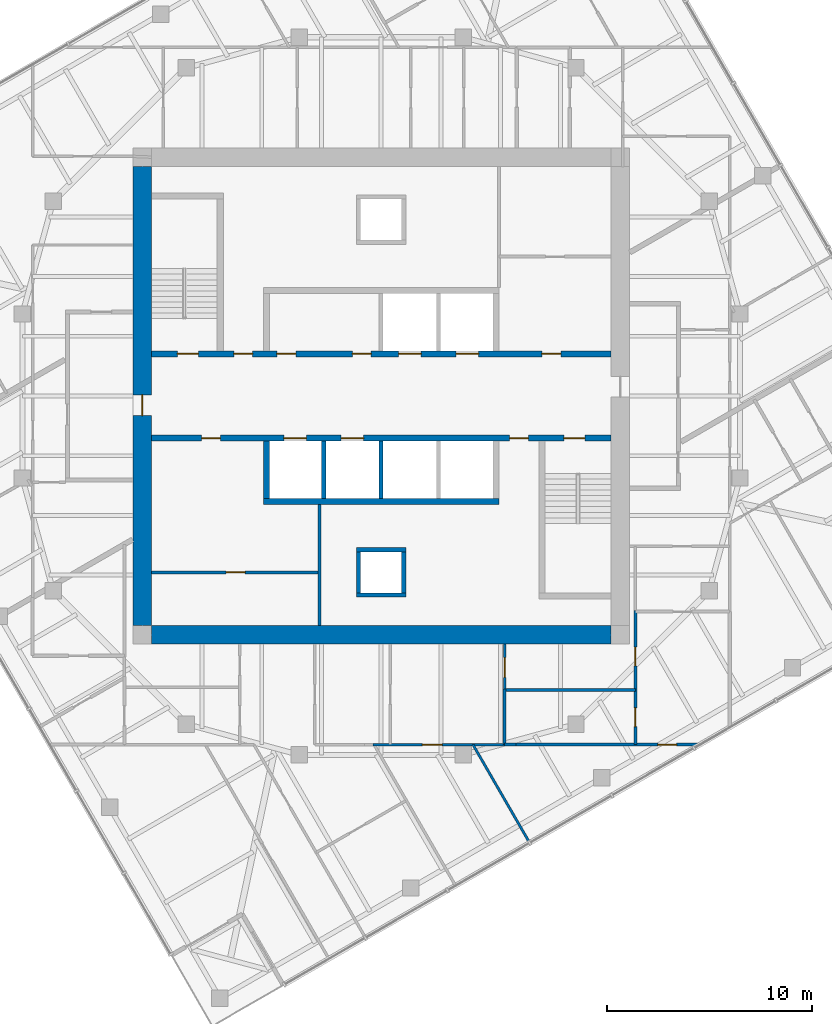
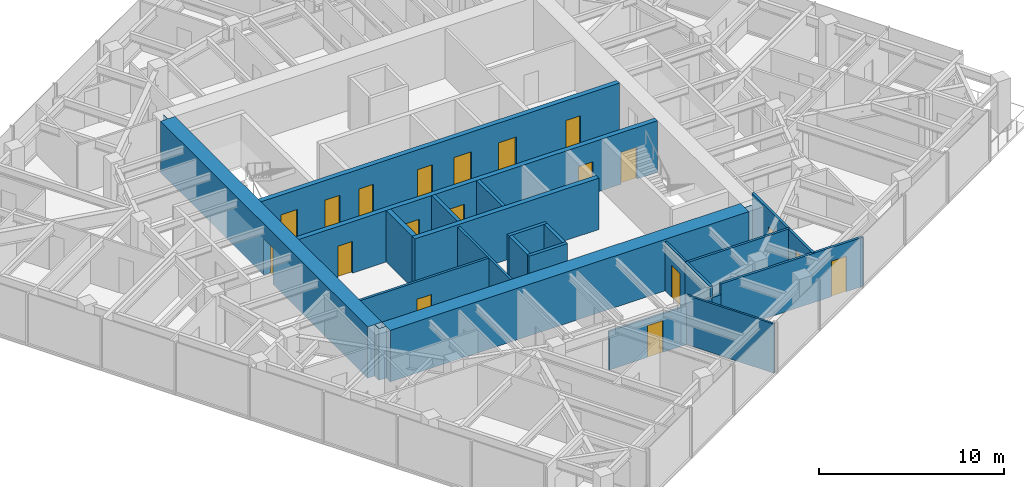
# One storey, part 8 of 12: 22 walls, 19 doors, 19 openings.
"""IFC4 building model written with IfcOpenShell, lengths in metres."""

import ifcopenshell
import ifcopenshell.guid

model = None  # the IFC model being written
_history = None  # IfcOwnerHistory: only IFC2X3 demands one
_inside = {}  # id of a spatial element -> (the spatial element, [elements in it])
_under = {}  # id of a project, library or spatial element -> (it, [spatial elements below it])
_declared = {}  # id of a project -> (the project, [libraries it declares])
_typed = {}  # id of a type object -> (the type object, [elements of that type])
_made_of = {}  # id of a material, layer set ... -> (it, [elements and type objects made of it])


def new_model(schema):
    """Start an empty IFC model of exactly this schema.

    Asked for "IFC4X3", IfcOpenShell would pick the latest addendum, in which some entities
    have other attributes; the version numbers below select the first issue.
    IFC2X3 requires an IfcOwnerHistory on every rooted entity: one is made here for all.
    """
    global model, _history
    if schema == "IFC4X3":
        model = ifcopenshell.file(schema_version=(4, 3, 0, 0))
    else:
        model = ifcopenshell.file(schema=schema)
    _inside.clear()
    _under.clear()
    _declared.clear()
    _typed.clear()
    _made_of.clear()
    _history = None
    if model.schema == "IFC2X3":
        org = make("IfcOrganization", Name="unknown")
        user = make(
            "IfcPersonAndOrganization",
            ThePerson=make("IfcPerson", FamilyName="unknown"),
            TheOrganization=org,
        )
        app = make(
            "IfcApplication",
            ApplicationDeveloper=org,
            Version="unknown",
            ApplicationFullName="unknown",
            ApplicationIdentifier="unknown",
        )
        _history = make(
            "IfcOwnerHistory",
            OwningUser=user,
            OwningApplication=app,
            ChangeAction="ADDED",
            CreationDate=0,
        )
    return model


def make(cls, **values):
    """One entity of the class cls with the attributes given. An attribute that is None is left unset."""
    return model.create_entity(
        cls, **{name: value for name, value in values.items() if value is not None}
    )


def rooted(cls, **values):
    """An entity with a GlobalId (a new one), such as an element, a storey or a relation."""
    return make(cls, GlobalId=ifcopenshell.guid.new(), OwnerHistory=_history, **values)


def si_unit(unit_type, name, prefix=None):
    """IfcSIUnit, for example si_unit("LENGTHUNIT", "METRE", prefix="MILLI")."""
    return make("IfcSIUnit", UnitType=unit_type, Prefix=prefix, Name=name)


def assignment(units):
    """IfcUnitAssignment: the units of a project."""
    return None if units is None else make("IfcUnitAssignment", Units=units)


def point(xyz):
    """IfcCartesianPoint."""
    return None if xyz is None else make("IfcCartesianPoint", Coordinates=xyz)


def direction(xyz):
    """IfcDirection."""
    return None if xyz is None else make("IfcDirection", DirectionRatios=xyz)


def frame(location, z_axis=None, x_axis=None):
    """IfcAxis2Placement3D, a coordinate frame: its origin and axes. An axis left out is left unset."""
    return make(
        "IfcAxis2Placement3D",
        Location=point(location),
        Axis=direction(z_axis),
        RefDirection=direction(x_axis),
    )


def frame_2d(location, x_axis=None):
    """IfcAxis2Placement2D, a coordinate frame in the plane: its origin and x axis."""
    return make(
        "IfcAxis2Placement2D", Location=point(location), RefDirection=direction(x_axis)
    )


def origin():
    """The frame at (0, 0, 0) with its axes left unset."""
    return frame((0.0, 0.0, 0.0))


def place(relative_to, where):
    """IfcLocalPlacement: puts the frame where relative to a parent placement (None: the world)."""
    return make(
        "IfcLocalPlacement", PlacementRelTo=relative_to, RelativePlacement=where
    )


def context(
    kind, dimensions, precision=None, world=None, true_north=None, identifier=None
):
    """IfcGeometricRepresentationContext, for example the 3D "Model" context."""
    return make(
        "IfcGeometricRepresentationContext",
        ContextIdentifier=identifier,
        ContextType=kind,
        CoordinateSpaceDimension=dimensions,
        Precision=precision,
        WorldCoordinateSystem=world,
        TrueNorth=true_north,
    )


def subcontext(parent, identifier, kind, view, scale=None):
    """IfcGeometricRepresentationSubContext, for example "Body" below "Model"."""
    return make(
        "IfcGeometricRepresentationSubContext",
        ContextIdentifier=identifier,
        ContextType=kind,
        ParentContext=parent,
        TargetScale=scale,
        TargetView=view,
    )


def project(units=None, contexts=None):
    """IfcProject with its units and contexts."""
    return rooted(
        "IfcProject",
        Name="project",
        RepresentationContexts=contexts,
        UnitsInContext=assignment(units),
    )


def spatial(cls, under=None, at=None, **own):
    """A site, building, storey or space (cls), placed at a placement, below another one or the project."""
    s = rooted(cls, ObjectPlacement=at, **own)
    if under is not None:
        _under.setdefault(under.id(), (under, []))[1].append(s)
    return s


def polyline(points):
    """IfcPolyline through the points."""
    return make("IfcPolyline", Points=[point(p) for p in points])


def profile(cls, at=None, kind="AREA", **sizes):
    """A parametric profile (cls). Its sizes go by their IFC names, for example OverallWidth=200.0."""
    return make(cls, ProfileType=kind, Position=at, **sizes)


def rectangle(**sizes):
    """IfcRectangleProfileDef."""
    return profile("IfcRectangleProfileDef", **sizes)


def outline(outer, holes=None, kind="AREA"):
    """IfcArbitraryClosedProfileDef: a profile drawn as a closed curve; with holes, ...WithVoids."""
    if holes is None:
        return make("IfcArbitraryClosedProfileDef", ProfileType=kind, OuterCurve=outer)
    return make(
        "IfcArbitraryProfileDefWithVoids",
        ProfileType=kind,
        OuterCurve=outer,
        InnerCurves=holes,
    )


def extrude(swept, where, along, depth):
    """IfcExtrudedAreaSolid: the profile swept, set in the frame where, extruded along a direction by depth."""
    return make(
        "IfcExtrudedAreaSolid",
        SweptArea=swept,
        Position=where,
        ExtrudedDirection=direction(along),
        Depth=depth,
    )


def shape(context_of_items, identifier, shape_type, items):
    """IfcShapeRepresentation: the items that make up one representation, for example the "Body"."""
    return make(
        "IfcShapeRepresentation",
        ContextOfItems=context_of_items,
        RepresentationIdentifier=identifier,
        RepresentationType=shape_type,
        Items=items,
    )


def material(Name=None, Category=None):
    """IfcMaterial."""
    return make("IfcMaterial", Name=Name, Category=Category)


def layer(
    of_material, thickness, ventilated=None, Name=None, Category=None, Priority=None
):
    """IfcMaterialLayer: one layer of a wall or slab, of a material (None: an air gap)."""
    return make(
        "IfcMaterialLayer",
        Material=of_material,
        LayerThickness=thickness,
        IsVentilated=ventilated,
        Name=Name,
        Category=Category,
        Priority=Priority,
    )


def layer_set(layers, Name=None):
    """IfcMaterialLayerSet."""
    return make("IfcMaterialLayerSet", MaterialLayers=layers, LayerSetName=Name)


def made_of(thing, what):
    """Note that an element or type object is made of a material, layer set ...; save() writes the relation."""
    if what is not None:
        _made_of.setdefault(what.id(), (what, []))[1].append(thing)
    return thing


def type_object(cls, material=None, **own):
    """A type object (cls), such as IfcWallType, which elements share."""
    return made_of(rooted(cls, **own), material)


def element(
    cls,
    number,
    at=None,
    inside=None,
    cuts=None,
    type_object=None,
    material=None,
    context=None,
    identifier="Body",
    shape_type=None,
    held_by="IfcProductDefinitionShape",
    body=None,
    shapes=None,
    **own,
):
    """One element of the class cls, such as IfcWall. Its Tag is "e" and its number.

    at: its placement. inside: the storey or other place that contains it. cuts: it is an
    opening in that element (IfcRelVoidsElement). A single representation is given by context,
    identifier, shape_type and body (its items); several are given by shapes. held_by: the class
    of the entity that holds the representations. save() writes the other relations.
    """
    e = rooted(cls, Tag="e%d" % number, ObjectPlacement=at, **own)
    if body is not None:
        shapes = [shape(context, identifier, shape_type, body)]
    if shapes is not None:
        e.Representation = make(held_by, Representations=shapes)
    if inside is not None:
        _inside.setdefault(inside.id(), (inside, []))[1].append(e)
    if cuts is not None:
        rooted(
            "IfcRelVoidsElement", RelatingBuildingElement=cuts, RelatedOpeningElement=e
        )
    if type_object is not None:
        _typed.setdefault(type_object.id(), (type_object, []))[1].append(e)
    return made_of(e, material)


def fill(opening, filler):
    """IfcRelFillsElement: the door or window that sits in an opening."""
    return rooted(
        "IfcRelFillsElement",
        RelatingOpeningElement=opening,
        RelatedBuildingElement=filler,
    )


def aggregate(whole, parts):
    """IfcRelAggregates: a whole, such as a stair, and the parts it consists of."""
    return rooted("IfcRelAggregates", RelatingObject=whole, RelatedObjects=parts)


def save(model, path):
    """Write the relations noted so far, then the file.

    IfcRelAggregates (storeys below a building ...), IfcRelContainedInSpatialStructure (elements
    in a storey), IfcRelDefinesByType, IfcRelAssociatesMaterial and IfcRelDeclares: one each for
    every whole, place, type object, material and project.
    """
    for whole, parts in _under.values():
        aggregate(whole, parts)
    for where, things in _inside.values():
        rooted(
            "IfcRelContainedInSpatialStructure",
            RelatedElements=things,
            RelatingStructure=where,
        )
    for kind, things in _typed.values():
        rooted("IfcRelDefinesByType", RelatedObjects=things, RelatingType=kind)
    for what, things in _made_of.values():
        rooted("IfcRelAssociatesMaterial", RelatedObjects=things, RelatingMaterial=what)
    for by, libraries in _declared.values():
        rooted("IfcRelDeclares", RelatingContext=by, RelatedDefinitions=libraries)
    model.write(path)


model = new_model("IFC4")

# Units and contexts
model_context = context("Model", 3, precision=1e-05, world=origin(), true_north=direction((0.0, 1.0)))
body_context = subcontext(model_context, "Body", "Model", "MODEL_VIEW")
ifc_project = project(units=[si_unit("LENGTHUNIT", "METRE"), si_unit("AREAUNIT", "SQUARE_METRE"), si_unit("VOLUMEUNIT", "CUBIC_METRE"), si_unit("PLANEANGLEUNIT", "RADIAN"), si_unit("MASSUNIT", "GRAM", prefix="KILO")], contexts=[model_context])

# Site, building, storey
site_placement = place(None, origin())
site = spatial("IfcSite", under=ifc_project, at=site_placement, CompositionType="ELEMENT")
building_placement = place(site_placement, origin())
building = spatial("IfcBuilding", under=site, at=building_placement, Name="Torsade Residences", CompositionType="ELEMENT")
storey_placement = place(building_placement, frame((0.0, 0.0, 211.60009765625)))
storey = spatial("IfcBuildingStorey", under=building, at=storey_placement, Name="L58", CompositionType="ELEMENT", Elevation=211.60009765625)

# Wall, openings, doors
ifc_material_1 = material(Name="Concrete 80 MPa", Category="concrete")
ifc_layer_1 = layer(ifc_material_1, 0.300048828125)
ifc_layer_set_1 = layer_set([ifc_layer_1], Name="Concrete 80 MPa")
wall_type_1 = type_object("IfcWallType", Name="CORE INTERNAL WALL 300", PredefinedType="SHEAR", material=ifc_layer_set_1)
wall_1_placement = place(storey_placement, frame((28.800048828125, 32.050048828125, 0.0), z_axis=(0.0, 0.0, 1.0), x_axis=(1.0, 0.0, 0.0)))
wall_1 = element("IfcWall", 1, at=wall_1_placement, inside=storey, type_object=wall_type_1, Name="Core wall LN L58", PredefinedType="SHEAR", context=body_context, shape_type="SweptSolid", body=[
    extrude(rectangle(XDim=22.39990234375, YDim=0.300048828125, at=frame_2d((11.199951171875, 0.0))), origin(), (0.0, 0.0, 1.0), 3.39990234375),
])
opening_1_placement = place(wall_1_placement, frame((19.0400390625, 0.0, 0.0)))
opening_1 = element("IfcOpeningElement", 2, at=opening_1_placement, cuts=wall_1, Name="Opening D06", PredefinedType="OPENING", context=body_context, shape_type="SweptSolid", body=[
    extrude(rectangle(XDim=0.919921875, YDim=2.10009765625, at=frame_2d((0.4599609375, 1.050048828125))), frame((0.0, 0.159912109375, 0.0), z_axis=(0.0, -1.0, 0.0), x_axis=(1.0, 0.0, 0.0)), (0.0, 0.0, 1.0), 0.320068359375),
])
opening_2_placement = place(wall_1_placement, frame((1.264892578125, 0.0, 0.0)))
opening_2 = element("IfcOpeningElement", 3, at=opening_2_placement, cuts=wall_1, Name="Opening D03", PredefinedType="OPENING", context=body_context, shape_type="SweptSolid", body=[
    extrude(rectangle(XDim=1.02001953125, YDim=2.10009765625, at=frame_2d((0.510009765625, 1.050048828125))), frame((0.0, 0.159912109375, 0.0), z_axis=(0.0, -1.0, 0.0), x_axis=(1.0, 0.0, 0.0)), (0.0, 0.0, 1.0), 0.320068359375),
])
opening_3_placement = place(wall_1_placement, frame((4.014892578125, 0.0, 0.0)))
opening_3 = element("IfcOpeningElement", 4, at=opening_3_placement, cuts=wall_1, Name="Opening D06", PredefinedType="OPENING", context=body_context, shape_type="SweptSolid", body=[
    extrude(rectangle(XDim=0.919921875, YDim=2.10009765625, at=frame_2d((0.4599609375, 1.050048828125))), frame((0.0, 0.159912109375, 0.0), z_axis=(0.0, -1.0, 0.0), x_axis=(1.0, 0.0, 0.0)), (0.0, 0.0, 1.0), 0.320068359375),
])
opening_4_placement = place(wall_1_placement, frame((6.114990234375, 0.0, 0.0)))
opening_4 = element("IfcOpeningElement", 5, at=opening_4_placement, cuts=wall_1, Name="Opening D06", PredefinedType="OPENING", context=body_context, shape_type="SweptSolid", body=[
    extrude(rectangle(XDim=0.919921875, YDim=2.10009765625, at=frame_2d((0.4599609375, 1.050048828125))), frame((0.0, 0.159912109375, 0.0), z_axis=(0.0, -1.0, 0.0), x_axis=(1.0, 0.0, 0.0)), (0.0, 0.0, 1.0), 0.320068359375),
])
opening_5_placement = place(wall_1_placement, frame((9.7900390625, 0.0, 0.0)))
opening_5 = element("IfcOpeningElement", 6, at=opening_5_placement, cuts=wall_1, Name="Opening D06", PredefinedType="OPENING", context=body_context, shape_type="SweptSolid", body=[
    extrude(rectangle(XDim=0.919921875, YDim=2.10009765625, at=frame_2d((0.4599609375, 1.050048828125))), frame((0.0, 0.159912109375, 0.0), z_axis=(0.0, -1.0, 0.0), x_axis=(1.0, 0.0, 0.0)), (0.0, 0.0, 1.0), 0.320068359375),
])
opening_6_placement = place(wall_1_placement, frame((12.050048828125, 0.0, 0.0)))
opening_6 = element("IfcOpeningElement", 7, at=opening_6_placement, cuts=wall_1, Name="Opening LD", PredefinedType="OPENING", context=body_context, shape_type="SweptSolid", body=[
    extrude(rectangle(XDim=1.10009765625, YDim=2.10009765625, at=frame_2d((0.550048828125, 1.050048828125))), frame((0.0, 0.159912109375, 0.0), z_axis=(0.0, -1.0, 0.0), x_axis=(1.0, 0.0, 0.0)), (0.0, 0.0, 1.0), 0.320068359375),
])
opening_7_placement = place(wall_1_placement, frame((14.85009765625, 0.0, 0.0)))
opening_7 = element("IfcOpeningElement", 8, at=opening_7_placement, cuts=wall_1, Name="Opening LD", PredefinedType="OPENING", context=body_context, shape_type="SweptSolid", body=[
    extrude(rectangle(XDim=1.10009765625, YDim=2.10009765625, at=frame_2d((0.550048828125, 1.050048828125))), frame((0.0, 0.159912109375, 0.0), z_axis=(0.0, -1.0, 0.0), x_axis=(1.0, 0.0, 0.0)), (0.0, 0.0, 1.0), 0.320068359375),
])
ifc_material_2 = material(Name="Steel-framed fire door", Category="steel")
door_type_1 = type_object("IfcDoorType", Name="FIRE DOOR 1020", OperationType="NOTDEFINED", PredefinedType="DOOR", material=ifc_material_2)
door_1_placement = place(opening_2_placement, origin())
door_1 = element("IfcDoor", 9, at=door_1_placement, inside=storey, type_object=door_type_1, Name="Exit door to fire-isolated stair ST1 L58", OperationType="SINGLE_SWING_RIGHT", OverallHeight=2.10009765625, OverallWidth=1.02001953125, PredefinedType="DOOR", context=body_context, shape_type="SweptSolid", body=[
    extrude(rectangle(XDim=1.02001953125, YDim=2.10009765625, at=frame_2d((0.510009765625, 1.050048828125))), frame((0.0, 0.02490234375, 0.0), z_axis=(0.0, -1.0, 0.0), x_axis=(1.0, 0.0, 0.0)), (0.0, 0.0, 1.0), 0.050048828125),
])
fill(opening_2, door_1)
ifc_material_3 = material(Name="Steel-framed fire door", Category="steel")
door_type_2 = type_object("IfcDoorType", Name="FIRE DOOR 920", OperationType="NOTDEFINED", PredefinedType="DOOR", material=ifc_material_3)
door_2_placement = place(opening_1_placement, origin())
door_2 = element("IfcDoor", 10, at=door_2_placement, inside=storey, type_object=door_type_2, Name="Door Lift lobby to Refuse room", OperationType="SINGLE_SWING_LEFT", OverallHeight=2.10009765625, OverallWidth=0.919921875, PredefinedType="DOOR", context=body_context, shape_type="SweptSolid", body=[
    extrude(rectangle(XDim=0.919921875, YDim=2.10009765625, at=frame_2d((0.4599609375, 1.050048828125))), frame((0.0, 0.02490234375, 0.0), z_axis=(0.0, -1.0, 0.0), x_axis=(1.0, 0.0, 0.0)), (0.0, 0.0, 1.0), 0.050048828125),
])
fill(opening_1, door_2)
door_3_placement = place(opening_3_placement, origin())
door_3 = element("IfcDoor", 11, at=door_3_placement, inside=storey, type_object=door_type_2, Name="Door Lift lobby to Electrical riser room", OperationType="SINGLE_SWING_LEFT", OverallHeight=2.10009765625, OverallWidth=0.919921875, PredefinedType="DOOR", context=body_context, shape_type="SweptSolid", body=[
    extrude(rectangle(XDim=0.919921875, YDim=2.10009765625, at=frame_2d((0.4599609375, 1.050048828125))), frame((0.0, 0.02490234375, 0.0), z_axis=(0.0, -1.0, 0.0), x_axis=(1.0, 0.0, 0.0)), (0.0, 0.0, 1.0), 0.050048828125),
])
fill(opening_3, door_3)
door_4_placement = place(opening_4_placement, origin())
door_4 = element("IfcDoor", 12, at=door_4_placement, inside=storey, type_object=door_type_2, Name="Door Lift lobby to Bulky waste store L58A", OperationType="SINGLE_SWING_LEFT", OverallHeight=2.10009765625, OverallWidth=0.919921875, PredefinedType="DOOR", context=body_context, shape_type="SweptSolid", body=[
    extrude(rectangle(XDim=0.919921875, YDim=2.10009765625, at=frame_2d((0.4599609375, 1.050048828125))), frame((0.0, 0.02490234375, 0.0), z_axis=(0.0, -1.0, 0.0), x_axis=(1.0, 0.0, 0.0)), (0.0, 0.0, 1.0), 0.050048828125),
])
fill(opening_4, door_4)
door_5_placement = place(opening_5_placement, origin())
door_5 = element("IfcDoor", 13, at=door_5_placement, inside=storey, type_object=door_type_2, Name="Door Lift lobby to Bulky waste store L58A", OperationType="SINGLE_SWING_RIGHT", OverallHeight=2.10009765625, OverallWidth=0.919921875, PredefinedType="DOOR", context=body_context, shape_type="SweptSolid", body=[
    extrude(rectangle(XDim=0.919921875, YDim=2.10009765625, at=frame_2d((0.4599609375, 1.050048828125))), frame((0.0, 0.02490234375, 0.0), z_axis=(0.0, -1.0, 0.0), x_axis=(1.0, 0.0, 0.0)), (0.0, 0.0, 1.0), 0.050048828125),
])
fill(opening_5, door_5)
ifc_material_4 = material(Name="Stainless steel lift landing door", Category="steel")
door_type_3 = type_object("IfcDoorType", Name="LIFT LANDING DOOR 1100", OperationType="SLIDING_TO_LEFT", PredefinedType="DOOR", material=ifc_material_4)
door_6_placement = place(opening_6_placement, origin())
door_6 = element("IfcDoor", 14, at=door_6_placement, inside=storey, type_object=door_type_3, Name="Lift LA3 landing door L58", OperationType="SLIDING_TO_LEFT", OverallHeight=2.10009765625, OverallWidth=1.10009765625, PredefinedType="DOOR", context=body_context, shape_type="SweptSolid", body=[
    extrude(rectangle(XDim=1.10009765625, YDim=2.10009765625, at=frame_2d((0.550048828125, 1.050048828125))), frame((0.0, 0.02490234375, 0.0), z_axis=(0.0, -1.0, 0.0), x_axis=(1.0, 0.0, 0.0)), (0.0, 0.0, 1.0), 0.050048828125),
])
fill(opening_6, door_6)
door_7_placement = place(opening_7_placement, origin())
door_7 = element("IfcDoor", 15, at=door_7_placement, inside=storey, type_object=door_type_3, Name="Lift FL1 landing door L58", OperationType="SLIDING_TO_LEFT", OverallHeight=2.10009765625, OverallWidth=1.10009765625, PredefinedType="DOOR", context=body_context, shape_type="SweptSolid", body=[
    extrude(rectangle(XDim=1.10009765625, YDim=2.10009765625, at=frame_2d((0.550048828125, 1.050048828125))), frame((0.0, 0.02490234375, 0.0), z_axis=(0.0, -1.0, 0.0), x_axis=(1.0, 0.0, 0.0)), (0.0, 0.0, 1.0), 0.050048828125),
])
fill(opening_7, door_7)

wall_2_placement = place(storey_placement, frame((51.199951171875, 27.949951171875, 0.0), z_axis=(0.0, 0.0, 1.0), x_axis=(-1.0, 0.0, 0.0)))
wall_2 = element("IfcWall", 16, at=wall_2_placement, inside=storey, type_object=wall_type_1, Name="Core wall LS L58", PredefinedType="SHEAR", context=body_context, shape_type="SweptSolid", body=[
    extrude(rectangle(XDim=22.39990234375, YDim=0.300048828125, at=frame_2d((11.199951171875, 0.0))), origin(), (0.0, 0.0, 1.0), 3.39990234375),
])
opening_8_placement = place(wall_2_placement, frame((19.0400390625, 0.0, 0.0)))
opening_8 = element("IfcOpeningElement", 17, at=opening_8_placement, cuts=wall_2, Name="Opening D06", PredefinedType="OPENING", context=body_context, shape_type="SweptSolid", body=[
    extrude(rectangle(XDim=0.919921875, YDim=2.10009765625, at=frame_2d((0.4599609375, 1.050048828125))), frame((0.0, 0.159912109375, 0.0), z_axis=(0.0, -1.0, 0.0), x_axis=(1.0, 0.0, 0.0)), (0.0, 0.0, 1.0), 0.320068359375),
])
opening_9_placement = place(wall_2_placement, frame((1.264892578125, 0.0, 0.0)))
opening_9 = element("IfcOpeningElement", 18, at=opening_9_placement, cuts=wall_2, Name="Opening D03", PredefinedType="OPENING", context=body_context, shape_type="SweptSolid", body=[
    extrude(rectangle(XDim=1.02001953125, YDim=2.10009765625, at=frame_2d((0.510009765625, 1.050048828125))), frame((0.0, 0.159912109375, 0.0), z_axis=(0.0, -1.0, 0.0), x_axis=(1.0, 0.0, 0.0)), (0.0, 0.0, 1.0), 0.320068359375),
])
opening_10_placement = place(wall_2_placement, frame((4.014892578125, 0.0, 0.0)))
opening_10 = element("IfcOpeningElement", 19, at=opening_10_placement, cuts=wall_2, Name="Opening D06", PredefinedType="OPENING", context=body_context, shape_type="SweptSolid", body=[
    extrude(rectangle(XDim=0.919921875, YDim=2.10009765625, at=frame_2d((0.4599609375, 1.050048828125))), frame((0.0, 0.159912109375, 0.0), z_axis=(0.0, -1.0, 0.0), x_axis=(1.0, 0.0, 0.0)), (0.0, 0.0, 1.0), 0.320068359375),
])
opening_11_placement = place(wall_2_placement, frame((12.050048828125, 0.0, 0.0)))
opening_11 = element("IfcOpeningElement", 20, at=opening_11_placement, cuts=wall_2, Name="Opening LD", PredefinedType="OPENING", context=body_context, shape_type="SweptSolid", body=[
    extrude(rectangle(XDim=1.10009765625, YDim=2.10009765625, at=frame_2d((0.550048828125, 1.050048828125))), frame((0.0, 0.159912109375, 0.0), z_axis=(0.0, -1.0, 0.0), x_axis=(1.0, 0.0, 0.0)), (0.0, 0.0, 1.0), 0.320068359375),
])
opening_12_placement = place(wall_2_placement, frame((14.85009765625, 0.0, 0.0)))
opening_12 = element("IfcOpeningElement", 21, at=opening_12_placement, cuts=wall_2, Name="Opening LD", PredefinedType="OPENING", context=body_context, shape_type="SweptSolid", body=[
    extrude(rectangle(XDim=1.10009765625, YDim=2.10009765625, at=frame_2d((0.550048828125, 1.050048828125))), frame((0.0, 0.159912109375, 0.0), z_axis=(0.0, -1.0, 0.0), x_axis=(1.0, 0.0, 0.0)), (0.0, 0.0, 1.0), 0.320068359375),
])
door_8_placement = place(opening_9_placement, origin())
door_8 = element("IfcDoor", 22, at=door_8_placement, inside=storey, type_object=door_type_1, Name="Exit door to fire-isolated stair ST2 L58", OperationType="SINGLE_SWING_RIGHT", OverallHeight=2.10009765625, OverallWidth=1.02001953125, PredefinedType="DOOR", context=body_context, shape_type="SweptSolid", body=[
    extrude(rectangle(XDim=1.02001953125, YDim=2.10009765625, at=frame_2d((0.510009765625, 1.050048828125))), frame((0.0, 0.02490234375, 0.0), z_axis=(0.0, -1.0, 0.0), x_axis=(1.0, 0.0, 0.0)), (0.0, 0.0, 1.0), 0.050048828125),
])
fill(opening_9, door_8)
door_9_placement = place(opening_8_placement, origin())
door_9 = element("IfcDoor", 23, at=door_9_placement, inside=storey, type_object=door_type_2, Name="Door Lift lobby to Cleaner store", OperationType="SINGLE_SWING_LEFT", OverallHeight=2.10009765625, OverallWidth=0.919921875, PredefinedType="DOOR", context=body_context, shape_type="SweptSolid", body=[
    extrude(rectangle(XDim=0.919921875, YDim=2.10009765625, at=frame_2d((0.4599609375, 1.050048828125))), frame((0.0, 0.02490234375, 0.0), z_axis=(0.0, -1.0, 0.0), x_axis=(1.0, 0.0, 0.0)), (0.0, 0.0, 1.0), 0.050048828125),
])
fill(opening_8, door_9)
door_10_placement = place(opening_10_placement, origin())
door_10 = element("IfcDoor", 24, at=door_10_placement, inside=storey, type_object=door_type_2, Name="Door Lift lobby to Communications riser room", OperationType="SINGLE_SWING_RIGHT", OverallHeight=2.10009765625, OverallWidth=0.919921875, PredefinedType="DOOR", context=body_context, shape_type="SweptSolid", body=[
    extrude(rectangle(XDim=0.919921875, YDim=2.10009765625, at=frame_2d((0.4599609375, 1.050048828125))), frame((0.0, 0.02490234375, 0.0), z_axis=(0.0, -1.0, 0.0), x_axis=(1.0, 0.0, 0.0)), (0.0, 0.0, 1.0), 0.050048828125),
])
fill(opening_10, door_10)
door_11_placement = place(opening_11_placement, origin())
door_11 = element("IfcDoor", 25, at=door_11_placement, inside=storey, type_object=door_type_3, Name="Lift LB3 landing door L58", OperationType="SLIDING_TO_LEFT", OverallHeight=2.10009765625, OverallWidth=1.10009765625, PredefinedType="DOOR", context=body_context, shape_type="SweptSolid", body=[
    extrude(rectangle(XDim=1.10009765625, YDim=2.10009765625, at=frame_2d((0.550048828125, 1.050048828125))), frame((0.0, 0.02490234375, 0.0), z_axis=(0.0, -1.0, 0.0), x_axis=(1.0, 0.0, 0.0)), (0.0, 0.0, 1.0), 0.050048828125),
])
fill(opening_11, door_11)
door_12_placement = place(opening_12_placement, origin())
door_12 = element("IfcDoor", 26, at=door_12_placement, inside=storey, type_object=door_type_3, Name="Lift FL2 landing door L58", OperationType="SLIDING_TO_LEFT", OverallHeight=2.10009765625, OverallWidth=1.10009765625, PredefinedType="DOOR", context=body_context, shape_type="SweptSolid", body=[
    extrude(rectangle(XDim=1.10009765625, YDim=2.10009765625, at=frame_2d((0.550048828125, 1.050048828125))), frame((0.0, 0.02490234375, 0.0), z_axis=(0.0, -1.0, 0.0), x_axis=(1.0, 0.0, 0.0)), (0.0, 0.0, 1.0), 0.050048828125),
])
fill(opening_12, door_12)

# Walls
wall_3_placement = place(storey_placement, frame((45.75, 24.85009765625, 0.0), z_axis=(0.0, 0.0, 1.0), x_axis=(-1.0, 0.0, 0.0)))
element("IfcWall", 27, at=wall_3_placement, inside=storey, type_object=wall_type_1, Name="Core wall BS L58", PredefinedType="SHEAR", context=body_context, shape_type="SweptSolid", body=[
    extrude(rectangle(XDim=11.5, YDim=0.300048828125, at=frame_2d((5.75, 0.0))), origin(), (0.0, 0.0, 1.0), 3.39990234375),
])
wall_4_placement = place(storey_placement, frame((34.39990234375, 27.800048828125, 0.0), z_axis=(0.0, 0.0, 1.0), x_axis=(0.0, -1.0, 0.0)))
element("IfcWall", 28, at=wall_4_placement, inside=storey, type_object=wall_type_1, Name="Core wall DS4 L58", PredefinedType="SHEAR", context=body_context, shape_type="SweptSolid", body=[
    extrude(rectangle(XDim=2.800048828125, YDim=0.300048828125, at=frame_2d((1.39990234375, 0.0))), origin(), (0.0, 0.0, 1.0), 3.39990234375),
])
ifc_material_5 = material(Name="Concrete 80 MPa", Category="concrete")
ifc_layer_2 = layer(ifc_material_5, 0.89990234375)
ifc_layer_set_2 = layer_set([ifc_layer_2], Name="Concrete 80 MPa")
wall_type_2 = type_object("IfcWallType", Name="CORE WALL 900", PredefinedType="SHEAR", material=ifc_layer_set_2)
wall_5_placement = place(storey_placement, frame((51.199951171875, 18.35009765625, 0.0), z_axis=(0.0, 0.0, 1.0), x_axis=(-1.0, 0.0, 0.0)))
element("IfcWall", 29, at=wall_5_placement, inside=storey, type_object=wall_type_2, Name="Core wall S L58", PredefinedType="SHEAR", context=body_context, shape_type="SweptSolid", body=[
    extrude(outline(polyline([(0.0, -0.449951171875), (22.39990234375, -0.449951171875), (22.39990234375, -0.02490234375), (22.849853515625, -0.02490234375), (22.849853515625, 0.02490234375), (22.39990234375, 0.02490234375), (22.39990234375, 0.449951171875), (0.0, 0.449951171875), (0.0, 0.02490234375), (-0.449951171875, 0.02490234375), (-0.449951171875, -0.02490234375), (0.0, -0.02490234375), (0.0, -0.449951171875)])), origin(), (0.0, 0.0, 1.0), 3.39990234375),
])

# Wall, opening, door
wall_6_placement = place(storey_placement, frame((28.35009765625, 41.199951171875, 0.0), z_axis=(0.0, 0.0, 1.0), x_axis=(0.0, -1.0, 0.0)))
wall_6 = element("IfcWall", 30, at=wall_6_placement, inside=storey, type_object=wall_type_2, Name="Core wall W L58", PredefinedType="SHEAR", context=body_context, shape_type="SweptSolid", body=[
    extrude(outline(polyline([(0.0, -0.449951171875), (22.39990234375, -0.449951171875), (22.39990234375, -0.02490234375), (22.849853515625, -0.02490234375), (22.849853515625, 0.02490234375), (22.39990234375, 0.02490234375), (22.39990234375, 0.449951171875), (0.0, 0.449951171875), (0.0, 0.02490234375), (-0.449951171875, 0.02490234375), (-0.449951171875, -0.02490234375), (0.0, -0.02490234375), (0.0, -0.449951171875)])), origin(), (0.0, 0.0, 1.0), 3.39990234375),
])
opening_13_placement = place(wall_6_placement, frame((11.139892578125, 0.0, 0.0)))
opening_13 = element("IfcOpeningElement", 31, at=opening_13_placement, cuts=wall_6, Name="Opening D04", PredefinedType="OPENING", context=body_context, shape_type="SweptSolid", body=[
    extrude(rectangle(XDim=1.02001953125, YDim=2.39990234375, at=frame_2d((0.510009765625, 1.199951171875))), frame((0.0, 0.4599609375, 0.0), z_axis=(0.0, -1.0, 0.0), x_axis=(1.0, 0.0, 0.0)), (0.0, 0.0, 1.0), 0.919921875),
])
ifc_material_6 = material(Name="Steel-framed fire door", Category="steel")
door_type_4 = type_object("IfcDoorType", Name="LOBBY SMOKE DOOR 1020x2400", OperationType="NOTDEFINED", PredefinedType="DOOR", material=ifc_material_6)
door_13_placement = place(opening_13_placement, origin())
door_13 = element("IfcDoor", 32, at=door_13_placement, inside=storey, type_object=door_type_4, Name="Lift lobby door W L58", OperationType="SINGLE_SWING_RIGHT", OverallHeight=2.39990234375, OverallWidth=1.02001953125, PredefinedType="DOOR", context=body_context, shape_type="SweptSolid", body=[
    extrude(rectangle(XDim=1.02001953125, YDim=2.39990234375, at=frame_2d((0.510009765625, 1.199951171875))), frame((0.0, 0.02490234375, 0.0), z_axis=(0.0, -1.0, 0.0), x_axis=(1.0, 0.0, 0.0)), (0.0, 0.0, 1.0), 0.050048828125),
])
fill(opening_13, door_13)

# Walls
ifc_material_7 = material(Name="Reinforced blockwork", Category="masonry")
ifc_layer_3 = layer(ifc_material_7, 0.199951171875)
ifc_layer_set_3 = layer_set([ifc_layer_3], Name="Reinforced blockwork")
wall_type_3 = type_object("IfcWallType", Name="LIFT SHAFT DIVIDING WALL 200", PredefinedType="SOLIDWALL", material=ifc_layer_set_3)
for number, where, z_axis, x_axis, name in (
    (33, (40.0, 27.800048828125, 0.0), (0.0, 0.0, 1.0), (0.0, -1.0, 0.0), "Core wall DS2 L58"),
    (34, (37.199951171875, 27.800048828125, 0.0), (0.0, 0.0, 1.0), (0.0, -1.0, 0.0), "Core wall DS3 L58"),
):
    element("IfcWall", number, at=place(storey_placement, frame(where, z_axis=z_axis, x_axis=x_axis)), inside=storey, type_object=wall_type_3, Name=name, PredefinedType="SOLIDWALL", context=body_context, shape_type="SweptSolid", body=[
        extrude(rectangle(XDim=2.800048828125, YDim=0.199951171875, at=frame_2d((1.39990234375, 0.0))), origin(), (0.0, 0.0, 1.0), 3.39990234375),
    ])

# Wall, opening, door
ifc_material_8 = material(Name="Plasterboard on steel stud", Category="steel")
ifc_layer_4 = layer(ifc_material_8, 0.1201171875)
ifc_layer_set_4 = layer_set([ifc_layer_4], Name="Plasterboard on steel stud")
wall_type_4 = type_object("IfcWallType", Name="PARTITION 120", PredefinedType="PARTITIONING", material=ifc_layer_set_4)
wall_7_placement = place(storey_placement, frame((46.0205078125, 13.0, 0.0), z_axis=(0.0, 0.0, 1.0), x_axis=(-1.0, 0.0, 0.0)))
wall_7 = element("IfcWall", 35, at=wall_7_placement, inside=storey, type_object=wall_type_4, Name="Partition L58", PredefinedType="PARTITIONING", context=body_context, shape_type="SweptSolid", body=[
    extrude(rectangle(XDim=6.424560546875, YDim=0.1201171875, at=frame_2d((3.21240234375, 0.0))), origin(), (0.0, 0.0, 1.0), 2.5498046875),
])
opening_14_placement = place(wall_7_placement, frame((3.052490234375, 0.0, 0.0)))
opening_14 = element("IfcOpeningElement", 36, at=opening_14_placement, cuts=wall_7, Name="Opening D05", PredefinedType="OPENING", context=body_context, shape_type="SweptSolid", body=[
    extrude(rectangle(XDim=0.9599609375, YDim=2.10009765625, at=frame_2d((0.47998046875, 1.050048828125))), frame((0.0, 0.070068359375, 0.0), z_axis=(0.0, -1.0, 0.0), x_axis=(1.0, 0.0, 0.0)), (0.0, 0.0, 1.0), 0.14013671875),
])
ifc_material_9 = material(Name="Hollow-core timber door in a steel cavity frame", Category="steel")
door_type_5 = type_object("IfcDoorType", Name="BATHROOM CAVITY SLIDING DOOR 960", OperationType="SLIDING_TO_LEFT", PredefinedType="DOOR", material=ifc_material_9)
door_14_placement = place(opening_14_placement, origin())
door_14 = element("IfcDoor", 37, at=door_14_placement, inside=storey, type_object=door_type_5, Name="Door Laundry to Bedroom 3", OperationType="SLIDING_TO_LEFT", OverallHeight=2.10009765625, OverallWidth=0.9599609375, PredefinedType="DOOR", context=body_context, shape_type="SweptSolid", body=[
    extrude(rectangle(XDim=0.9599609375, YDim=2.10009765625, at=frame_2d((0.47998046875, 1.050048828125))), frame((0.0, 0.02490234375, 0.0), z_axis=(0.0, -1.0, 0.0), x_axis=(1.0, 0.0, 0.0)), (0.0, 0.0, 1.0), 0.050048828125),
])
fill(opening_14, door_14)

wall_8_placement = place(storey_placement, frame((46.0205078125, 17.89990234375, 0.0), z_axis=(0.0, 0.0, 1.0), x_axis=(0.0, -1.0, 0.0)))
wall_8 = element("IfcWall", 38, at=wall_8_placement, inside=storey, type_object=wall_type_4, Name="Partition L58", PredefinedType="PARTITIONING", context=body_context, shape_type="SweptSolid", body=[
    extrude(rectangle(XDim=2.189697265625, YDim=0.1201171875, at=frame_2d((1.0947265625, 0.0))), origin(), (0.0, 0.0, 1.0), 3.25),
])
opening_15_placement = place(wall_8_placement, frame((0.664794921875, 0.0, 0.0)))
opening_15 = element("IfcOpeningElement", 39, at=opening_15_placement, cuts=wall_8, Name="Opening D05", PredefinedType="OPENING", context=body_context, shape_type="SweptSolid", body=[
    extrude(rectangle(XDim=0.9599609375, YDim=2.10009765625, at=frame_2d((0.47998046875, 1.050048828125))), frame((0.0, 0.070068359375, 0.0), z_axis=(0.0, -1.0, 0.0), x_axis=(1.0, 0.0, 0.0)), (0.0, 0.0, 1.0), 0.14013671875),
])
door_15_placement = place(opening_15_placement, origin())
door_15 = element("IfcDoor", 40, at=door_15_placement, inside=storey, type_object=door_type_5, Name="Door Study to Laundry", OperationType="SLIDING_TO_LEFT", OverallHeight=2.10009765625, OverallWidth=0.9599609375, PredefinedType="DOOR", context=body_context, shape_type="SweptSolid", body=[
    extrude(rectangle(XDim=0.9599609375, YDim=2.10009765625, at=frame_2d((0.47998046875, 1.050048828125))), frame((0.0, 0.02490234375, 0.0), z_axis=(0.0, -1.0, 0.0), x_axis=(1.0, 0.0, 0.0)), (0.0, 0.0, 1.0), 0.050048828125),
])
fill(opening_15, door_15)

# Walls
wall_9_placement = place(storey_placement, frame((44.474609375, 13.0, 0.0), z_axis=(0.0, 0.0, 1.0), x_axis=(0.49997732567, -0.866038494419, 0.0)))
element("IfcWall", 41, at=wall_9_placement, inside=storey, type_object=wall_type_4, Name="Partition L58", PredefinedType="PARTITIONING", context=body_context, shape_type="SweptSolid", body=[
    extrude(rectangle(XDim=5.500244140625, YDim=0.1201171875, at=frame_2d((2.75, 0.0))), origin(), (0.0, 0.0, 1.0), 3.25),
])
ifc_material_10 = material(Name="Reinforced blockwork", Category="masonry")
ifc_layer_5 = layer(ifc_material_10, 0.199951171875)
ifc_layer_set_5 = layer_set([ifc_layer_5], Name="Reinforced blockwork")
wall_type_5 = type_object("IfcWallType", Name="RISER SHAFT WALL 200", PredefinedType="SOLIDWALL", material=ifc_layer_set_5)
for number, where, z_axis, x_axis, name in (
    (42, (38.89990234375, 22.39990234375, 0.0), (0.0, 0.0, 1.0), (0.0, -1.0, 0.0), "Core wall RS2a L58"),
    (43, (41.10009765625, 22.39990234375, 0.0), (0.0, 0.0, 1.0), (0.0, -1.0, 0.0), "Core wall RS2b L58"),
):
    element("IfcWall", number, at=place(storey_placement, frame(where, z_axis=z_axis, x_axis=x_axis)), inside=storey, type_object=wall_type_5, Name=name, PredefinedType="SOLIDWALL", context=body_context, shape_type="SweptSolid", body=[
        extrude(rectangle(XDim=2.0, YDim=0.199951171875, at=frame_2d((1.0, 0.0))), origin(), (0.0, 0.0, 1.0), 3.39990234375),
    ])
for number, where, z_axis, x_axis, name in (
    (44, (38.800048828125, 22.5, 0.0), (0.0, 0.0, 1.0), (1.0, 0.0, 0.0), "Core wall RS2c L58"),
    (45, (38.800048828125, 20.300048828125, 0.0), (0.0, 0.0, 1.0), (1.0, 0.0, 0.0), "Core wall RS2d L58"),
):
    element("IfcWall", number, at=place(storey_placement, frame(where, z_axis=z_axis, x_axis=x_axis)), inside=storey, type_object=wall_type_5, Name=name, PredefinedType="SOLIDWALL", context=body_context, shape_type="SweptSolid", body=[
        extrude(rectangle(XDim=2.39990234375, YDim=0.199951171875, at=frame_2d((1.199951171875, 0.0))), origin(), (0.0, 0.0, 1.0), 3.39990234375),
    ])
ifc_material_11 = material(Name="Reinforced blockwork", Category="masonry")
ifc_layer_6 = layer(ifc_material_11, 0.14990234375)
ifc_layer_set_6 = layer_set([ifc_layer_6], Name="Reinforced blockwork")
wall_type_6 = type_object("IfcWallType", Name="SERVICE ROOM WALL 150", PredefinedType="SOLIDWALL", material=ifc_layer_set_6)
wall_10_placement = place(storey_placement, frame((37.0, 18.800048828125, 0.0), z_axis=(0.0, 0.0, 1.0), x_axis=(0.0, 1.0, 0.0)))
element("IfcWall", 46, at=wall_10_placement, inside=storey, type_object=wall_type_6, Name="Service room wall L58", PredefinedType="SOLIDWALL", context=body_context, shape_type="SweptSolid", body=[
    extrude(rectangle(XDim=5.89990234375, YDim=0.14990234375, at=frame_2d((2.949951171875, 0.0))), origin(), (0.0, 0.0, 1.0), 3.25),
])

# Wall, opening, door
wall_11_placement = place(storey_placement, frame((37.0, 21.39990234375, 0.0), z_axis=(0.0, 0.0, 1.0), x_axis=(-1.0, 0.0, 0.0)))
wall_11 = element("IfcWall", 47, at=wall_11_placement, inside=storey, type_object=wall_type_6, Name="Service room wall L58", PredefinedType="SOLIDWALL", context=body_context, shape_type="SweptSolid", body=[
    extrude(rectangle(XDim=8.199951171875, YDim=0.14990234375, at=frame_2d((4.10009765625, 0.0))), origin(), (0.0, 0.0, 1.0), 3.25),
])
opening_16_placement = place(wall_11_placement, frame((3.639892578125, 0.0, 0.0)))
opening_16 = element("IfcOpeningElement", 48, at=opening_16_placement, cuts=wall_11, Name="Opening D06", PredefinedType="OPENING", context=body_context, shape_type="SweptSolid", body=[
    extrude(rectangle(XDim=0.919921875, YDim=2.10009765625, at=frame_2d((0.4599609375, 1.050048828125))), frame((0.0, 0.0849609375, 0.0), z_axis=(0.0, -1.0, 0.0), x_axis=(1.0, 0.0, 0.0)), (0.0, 0.0, 1.0), 0.169921875),
])
door_16_placement = place(opening_16_placement, origin())
door_16 = element("IfcDoor", 49, at=door_16_placement, inside=storey, type_object=door_type_2, Name="Door Cleaner store to Building store", OperationType="SINGLE_SWING_RIGHT", OverallHeight=2.10009765625, OverallWidth=0.919921875, PredefinedType="DOOR", context=body_context, shape_type="SweptSolid", body=[
    extrude(rectangle(XDim=0.919921875, YDim=2.10009765625, at=frame_2d((0.4599609375, 1.050048828125))), frame((0.0, 0.02490234375, 0.0), z_axis=(0.0, -1.0, 0.0), x_axis=(1.0, 0.0, 0.0)), (0.0, 0.0, 1.0), 0.050048828125),
])
fill(opening_16, door_16)

# Walls
wall_12_placement = place(storey_placement, frame((46.0205078125, 15.710205078125, 0.0), z_axis=(0.0, 0.0, 1.0), x_axis=(0.0, -1.0, 0.0)))
element("IfcWall", 50, at=wall_12_placement, inside=storey, type_object=wall_type_6, Name="Service room wall L58", PredefinedType="SOLIDWALL", context=body_context, shape_type="SweptSolid", body=[
    extrude(rectangle(XDim=2.710205078125, YDim=0.14990234375, at=frame_2d((1.35498046875, 0.0))), origin(), (0.0, 0.0, 1.0), 3.25),
])
wall_13_placement = place(storey_placement, frame((52.398193359375, 15.660400390625, 0.0), z_axis=(0.0, 0.0, 1.0), x_axis=(-1.0, 0.0, 0.0)))
element("IfcWall", 51, at=wall_13_placement, inside=storey, type_object=wall_type_6, Name="Service room wall L58", PredefinedType="SOLIDWALL", context=body_context, shape_type="SweptSolid", body=[
    extrude(rectangle(XDim=6.377685546875, YDim=0.14990234375, at=frame_2d((3.18896484375, 0.0))), origin(), (0.0, 0.0, 1.0), 3.25),
])

# Wall, openings, doors
wall_14_placement = place(storey_placement, frame((52.398193359375, 19.535888671875, 0.0), z_axis=(0.0, 0.0, 1.0), x_axis=(0.0, -1.0, 0.0)))
wall_14 = element("IfcWall", 52, at=wall_14_placement, inside=storey, type_object=wall_type_6, Name="Service room wall L58", PredefinedType="SOLIDWALL", context=body_context, shape_type="SweptSolid", body=[
    extrude(rectangle(XDim=6.535888671875, YDim=0.14990234375, at=frame_2d((3.26806640625, 0.0))), origin(), (0.0, 0.0, 1.0), 3.25),
])
opening_17_placement = place(wall_14_placement, frame((1.77783203125, 0.0, 0.0)))
opening_17 = element("IfcOpeningElement", 53, at=opening_17_placement, cuts=wall_14, Name="Opening D02L", PredefinedType="OPENING", context=body_context, shape_type="SweptSolid", body=[
    extrude(rectangle(XDim=0.919921875, YDim=2.10009765625, at=frame_2d((0.4599609375, 1.050048828125))), frame((0.0, 0.0849609375, 0.0), z_axis=(0.0, -1.0, 0.0), x_axis=(1.0, 0.0, 0.0)), (0.0, 0.0, 1.0), 0.169921875),
])
opening_18_placement = place(wall_14_placement, frame((4.745849609375, 0.0, 0.0)))
opening_18 = element("IfcOpeningElement", 54, at=opening_18_placement, cuts=wall_14, Name="Opening D02", PredefinedType="OPENING", context=body_context, shape_type="SweptSolid", body=[
    extrude(rectangle(XDim=0.919921875, YDim=2.340087890625, at=frame_2d((0.4599609375, 1.169921875))), frame((0.0, 0.0849609375, 0.0), z_axis=(0.0, -1.0, 0.0), x_axis=(1.0, 0.0, 0.0)), (0.0, 0.0, 1.0), 0.169921875),
])
ifc_material_12 = material(Name="Hollow-core timber door", Category="wood")
door_type_6 = type_object("IfcDoorType", Name="INTERNAL DOOR 920x2100", OperationType="NOTDEFINED", PredefinedType="DOOR", material=ifc_material_12)
door_17_placement = place(opening_17_placement, origin())
door_17 = element("IfcDoor", 55, at=door_17_placement, inside=storey, type_object=door_type_6, Name="Door Linen store 4 to Study", OperationType="SINGLE_SWING_LEFT", OverallHeight=2.10009765625, OverallWidth=0.919921875, PredefinedType="DOOR", context=body_context, shape_type="SweptSolid", body=[
    extrude(rectangle(XDim=0.919921875, YDim=2.10009765625, at=frame_2d((0.4599609375, 1.050048828125))), frame((0.0, 0.02490234375, 0.0), z_axis=(0.0, -1.0, 0.0), x_axis=(1.0, 0.0, 0.0)), (0.0, 0.0, 1.0), 0.050048828125),
])
fill(opening_17, door_17)
ifc_material_13 = material(Name="Hollow-core timber door", Category="wood")
door_type_7 = type_object("IfcDoorType", Name="INTERNAL DOOR 920x2340", OperationType="NOTDEFINED", PredefinedType="DOOR", material=ifc_material_13)
door_18_placement = place(opening_18_placement, origin())
door_18 = element("IfcDoor", 56, at=door_18_placement, inside=storey, type_object=door_type_7, Name="Door Linen store 4 to Linen store 2", OperationType="SINGLE_SWING_RIGHT", OverallHeight=2.340087890625, OverallWidth=0.919921875, PredefinedType="DOOR", context=body_context, shape_type="SweptSolid", body=[
    extrude(rectangle(XDim=0.919921875, YDim=2.340087890625, at=frame_2d((0.4599609375, 1.169921875))), frame((0.0, 0.02490234375, 0.0), z_axis=(0.0, -1.0, 0.0), x_axis=(1.0, 0.0, 0.0)), (0.0, 0.0, 1.0), 0.050048828125),
])
fill(opening_18, door_18)

# Wall, opening, door
wall_15_placement = place(storey_placement, frame((55.47509765625, 13.0, 0.0), z_axis=(0.0, 0.0, 1.0), x_axis=(-1.0, 0.0, 0.0)))
wall_15 = element("IfcWall", 57, at=wall_15_placement, inside=storey, type_object=wall_type_6, Name="Service room wall L58", PredefinedType="SOLIDWALL", context=body_context, shape_type="SweptSolid", body=[
    extrude(rectangle(XDim=8.8916015625, YDim=0.14990234375, at=frame_2d((4.44580078125, 0.0))), origin(), (0.0, 0.0, 1.0), 3.25),
])
opening_19_placement = place(wall_15_placement, frame((1.0634765625, 0.0, 0.0)))
opening_19 = element("IfcOpeningElement", 58, at=opening_19_placement, cuts=wall_15, Name="Opening D02", PredefinedType="OPENING", context=body_context, shape_type="SweptSolid", body=[
    extrude(rectangle(XDim=0.919921875, YDim=2.340087890625, at=frame_2d((0.4599609375, 1.169921875))), frame((0.0, 0.0849609375, 0.0), z_axis=(0.0, -1.0, 0.0), x_axis=(1.0, 0.0, 0.0)), (0.0, 0.0, 1.0), 0.169921875),
])
door_19_placement = place(opening_19_placement, origin())
door_19 = element("IfcDoor", 59, at=door_19_placement, inside=storey, type_object=door_type_7, Name="Door Linen store 4 to Bedroom 4", OperationType="SINGLE_SWING_RIGHT", OverallHeight=2.340087890625, OverallWidth=0.919921875, PredefinedType="DOOR", context=body_context, shape_type="SweptSolid", body=[
    extrude(rectangle(XDim=0.919921875, YDim=2.340087890625, at=frame_2d((0.4599609375, 1.169921875))), frame((0.0, 0.02490234375, 0.0), z_axis=(0.0, -1.0, 0.0), x_axis=(1.0, 0.0, 0.0)), (0.0, 0.0, 1.0), 0.050048828125),
])
fill(opening_19, door_19)

# Wall
wall_16_placement = place(storey_placement, frame((46.58349609375, 13.0, 0.0), z_axis=(0.0, 0.0, 1.0), x_axis=(-1.0, 0.0, 0.0)))
element("IfcWall", 60, at=wall_16_placement, inside=storey, type_object=wall_type_6, Name="Service room wall L58", PredefinedType="SOLIDWALL", context=body_context, shape_type="SweptSolid", body=[
    extrude(rectangle(XDim=0.56298828125, YDim=0.14990234375, at=frame_2d((0.281494140625, 0.0))), origin(), (0.0, 0.0, 1.0), 2.5498046875),
])

save(model, "model.ifc")
